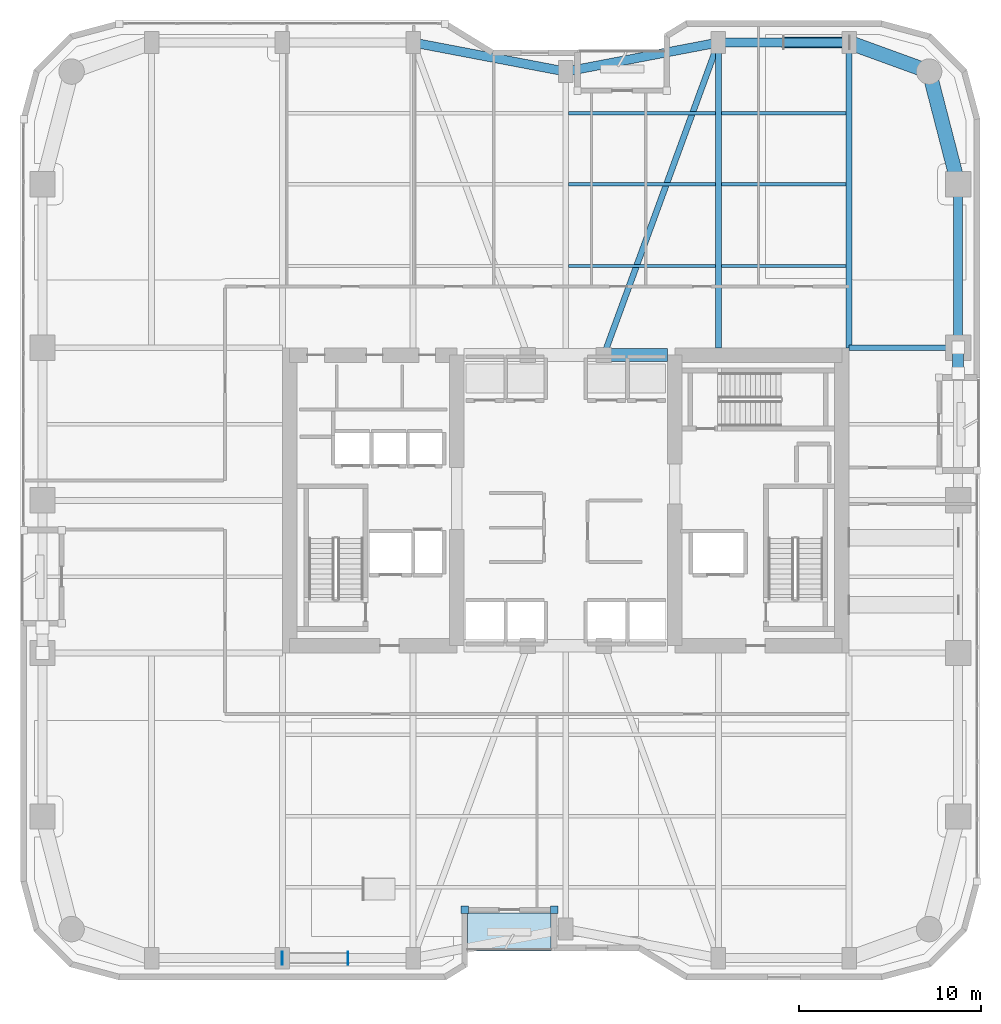
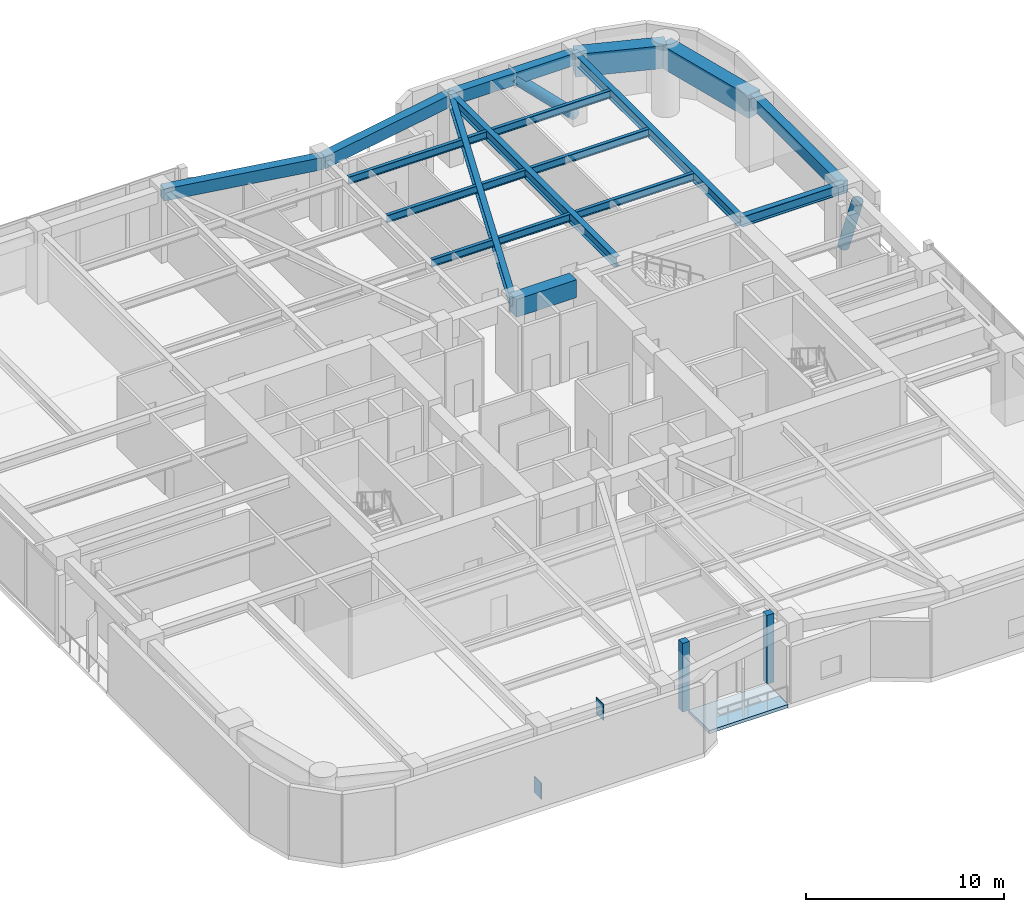
# One storey, part 11 of 23: 17 beams, 4 plates, 2 members, 1 slab.
"""IFC4 building model written with IfcOpenShell, lengths in metres."""

from ifc_helpers import new_model, si_unit, direction, frame, origin, origin_2d, place, context, subcontext, project, spatial, polyline, rectangle, hollow_circle, i_section, outline, extrude, material, layer, layer_set, material_profile, profile_set, type_object, element, save


model = new_model("IFC4")

# Units and contexts
model_context = context("Model", 3, precision=1e-05, world=origin(), true_north=direction((0.0, 1.0)))
body_context = subcontext(model_context, "Body", "Model", "MODEL_VIEW")
ifc_project = project(units=[si_unit("LENGTHUNIT", "METRE"), si_unit("AREAUNIT", "SQUARE_METRE"), si_unit("VOLUMEUNIT", "CUBIC_METRE"), si_unit("PLANEANGLEUNIT", "RADIAN"), si_unit("MASSUNIT", "GRAM", prefix="KILO")], contexts=[model_context])

# Site, building, storey
site_placement = place(None, origin())
site = spatial("IfcSite", under=ifc_project, at=site_placement, CompositionType="ELEMENT")
building_placement = place(site_placement, origin())
building = spatial("IfcBuilding", under=site, at=building_placement, Name="Kiyonajd Concourse Tower", CompositionType="ELEMENT")
storey_placement = place(building_placement, frame((0.0, 0.0, 120.89990234375)))
storey = spatial("IfcBuildingStorey", under=building, at=storey_placement, Name="L31", CompositionType="ELEMENT", Elevation=120.89990234375)

# Beams
ifc_material_1 = material(Name="Concrete C70/85", Category="concrete")
ifc_material_profile_1 = material_profile(ifc_material_1, rectangle(XDim=0.699951171875, YDim=1.10009765625, at=origin_2d()), Name="RCBM-700x1100")
ifc_profile_set_1 = profile_set([ifc_material_profile_1], Name="Concrete C70/85")
beam_type_1 = type_object("IfcBeamType", Name="BM-COUP-1100", PredefinedType="LINTEL", material=ifc_profile_set_1)
beam_1_placement = place(storey_placement, frame((50.10009765625, 44.0, 3.690185546875), z_axis=(1.0, 0.0, 0.0), x_axis=(0.0, 1.0, 0.0)))
element("IfcBeam", 1, at=beam_1_placement, inside=storey, type_object=beam_type_1, Name="L31 Core Coupling Beam N3", PredefinedType="LINTEL", context=body_context, shape_type="SweptSolid", body=[
    extrude(rectangle(XDim=0.699951171875, YDim=1.10009765625, at=origin_2d()), origin(), (0.0, 0.0, 1.0), 3.5),
])
ifc_material_2 = material(Name="Steel ASTM A992 Grade 50", Category="steel")
ifc_material_profile_2 = material_profile(ifc_material_2, i_section(OverallWidth=0.19189453125, OverallDepth=0.462890625, WebThickness=0.010498046875, FlangeThickness=0.017578125, at=origin_2d()), Name="W460X89")
ifc_profile_set_2 = profile_set([ifc_material_profile_2], Name="Steel ASTM A992 Grade 50")
beam_type_2 = type_object("IfcBeamType", Name="BM-JST-460B", PredefinedType="JOIST", material=ifc_profile_set_2)
beam_2_placement = place(storey_placement, frame((48.16357421875, 48.89990234375, 4.008544921875), z_axis=(1.0, 0.0, 0.0), x_axis=(0.0, 1.0, 0.0)))
element("IfcBeam", 2, at=beam_2_placement, inside=storey, type_object=beam_type_2, Name="L31 Secondary Floor Joist", PredefinedType="JOIST", context=body_context, shape_type="SweptSolid", body=[
    extrude(i_section(OverallWidth=0.19189453125, OverallDepth=0.462890625, WebThickness=0.010498046875, FlangeThickness=0.017578125, at=origin_2d()), origin(), (0.0, 0.0, 1.0), 8.072998046875),
])
beam_3_placement = place(storey_placement, frame((56.5634765625, 48.89990234375, 4.008544921875), z_axis=(1.0, 0.0, 0.0), x_axis=(0.0, 1.0, 0.0)))
element("IfcBeam", 3, at=beam_3_placement, inside=storey, type_object=beam_type_2, Name="L31 Secondary Floor Joist", PredefinedType="JOIST", context=body_context, shape_type="SweptSolid", body=[
    extrude(i_section(OverallWidth=0.19189453125, OverallDepth=0.462890625, WebThickness=0.010498046875, FlangeThickness=0.017578125, at=origin_2d()), origin(), (0.0, 0.0, 1.0), 6.873046875),
])
beam_4_placement = place(storey_placement, frame((48.16357421875, 53.39990234375, 4.008544921875), z_axis=(1.0, 0.0, 0.0), x_axis=(0.0, 1.0, 0.0)))
element("IfcBeam", 4, at=beam_4_placement, inside=storey, type_object=beam_type_2, Name="L31 Secondary Floor Joist", PredefinedType="JOIST", context=body_context, shape_type="SweptSolid", body=[
    extrude(i_section(OverallWidth=0.19189453125, OverallDepth=0.462890625, WebThickness=0.010498046875, FlangeThickness=0.017578125, at=origin_2d()), origin(), (0.0, 0.0, 1.0), 8.072998046875),
])
beam_5_placement = place(storey_placement, frame((56.5634765625, 53.39990234375, 4.008544921875), z_axis=(1.0, 0.0, 0.0), x_axis=(0.0, 1.0, 0.0)))
element("IfcBeam", 5, at=beam_5_placement, inside=storey, type_object=beam_type_2, Name="L31 Secondary Floor Joist", PredefinedType="JOIST", context=body_context, shape_type="SweptSolid", body=[
    extrude(i_section(OverallWidth=0.19189453125, OverallDepth=0.462890625, WebThickness=0.010498046875, FlangeThickness=0.017578125, at=origin_2d()), origin(), (0.0, 0.0, 1.0), 6.873046875),
])
beam_6_placement = place(storey_placement, frame((48.16357421875, 57.300048828125, 4.008544921875), z_axis=(1.0, 0.0, 0.0), x_axis=(0.0, 1.0, 0.0)))
element("IfcBeam", 6, at=beam_6_placement, inside=storey, type_object=beam_type_2, Name="L31 Secondary Floor Joist", PredefinedType="JOIST", context=body_context, shape_type="SweptSolid", body=[
    extrude(i_section(OverallWidth=0.19189453125, OverallDepth=0.462890625, WebThickness=0.010498046875, FlangeThickness=0.017578125, at=origin_2d()), origin(), (0.0, 0.0, 1.0), 8.072998046875),
])
beam_7_placement = place(storey_placement, frame((56.5634765625, 57.300048828125, 4.008544921875), z_axis=(1.0, 0.0, 0.0), x_axis=(0.0, 1.0, 0.0)))
element("IfcBeam", 7, at=beam_7_placement, inside=storey, type_object=beam_type_2, Name="L31 Secondary Floor Joist", PredefinedType="JOIST", context=body_context, shape_type="SweptSolid", body=[
    extrude(i_section(OverallWidth=0.19189453125, OverallDepth=0.462890625, WebThickness=0.010498046875, FlangeThickness=0.017578125, at=origin_2d()), origin(), (0.0, 0.0, 1.0), 6.873046875),
])
ifc_material_3 = material(Name="Precast concrete C50/60", Category="concrete")
ifc_material_profile_3 = material_profile(ifc_material_3, rectangle(XDim=0.5, YDim=0.75, at=origin_2d()), Name="RCBM-500x750")
ifc_profile_set_3 = profile_set([ifc_material_profile_3], Name="Precast concrete C50/60")
beam_type_3 = type_object("IfcBeamType", Name="BM-SPAN-RC", PredefinedType="SPANDREL", material=ifc_profile_set_3)
beam_8_placement = place(storey_placement, frame((69.60009765625, 44.39990234375, 3.864990234375), z_axis=(0.0, 1.0, 0.0), x_axis=(-1.0, 0.0, 0.0)))
element("IfcBeam", 8, at=beam_8_placement, inside=storey, type_object=beam_type_3, Name="L31 Perimeter Bundled Tube Spandrel", PredefinedType="SPANDREL", context=body_context, shape_type="SweptSolid", body=[
    extrude(rectangle(XDim=0.5, YDim=0.75, at=origin_2d()), origin(), (0.0, 0.0, 1.0), 9.0),
])
beam_9_placement = place(storey_placement, frame((63.60009765625, 61.199951171875, 3.864990234375), z_axis=(-1.0, 0.0, 0.0), x_axis=(0.0, -1.0, 0.0)))
element("IfcBeam", 9, at=beam_9_placement, inside=storey, type_object=beam_type_3, Name="L31 Perimeter Bundled Tube Spandrel", PredefinedType="SPANDREL", context=body_context, shape_type="SweptSolid", body=[
    extrude(rectangle(XDim=0.5, YDim=0.75, at=origin_2d()), origin(), (0.0, 0.0, 1.0), 7.2001953125),
])
for number, where, z_axis, x_axis, name in (
    (10, (56.39990234375, 61.199951171875, 3.864990234375), (-0.982341315253, -0.187097675953, 0.0), (0.187097675953, -0.982341315253, 0.0), "L31 Perimeter Bundled Tube Spandrel"),
    (11, (48.0, 59.60009765625, 3.864990234375), (-0.982341315253, 0.187097675953, 0.0), (-0.187097675953, -0.982341315253, 0.0), "L31 Perimeter Bundled Tube Spandrel"),
):
    element("IfcBeam", number, at=place(storey_placement, frame(where, z_axis=z_axis, x_axis=x_axis)), inside=storey, type_object=beam_type_3, Name=name, PredefinedType="SPANDREL", context=body_context, shape_type="SweptSolid", body=[
        extrude(rectangle(XDim=0.5, YDim=0.75, at=origin_2d()), origin(), (0.0, 0.0, 1.0), 8.55078125),
    ])
ifc_material_profile_4 = material_profile(ifc_material_2, i_section(OverallWidth=0.326904296875, OverallDepth=0.6220703125, WebThickness=0.015380859375, FlangeThickness=0.0244140625, at=origin_2d()), Name="W610X195")
ifc_profile_set_4 = profile_set([ifc_material_profile_4], Name="Steel ASTM A992 Grade 50")
beam_type_4 = type_object("IfcBeamType", Name="BM-TWR-610A", PredefinedType="BEAM", material=ifc_profile_set_4)
beam_10_placement = place(storey_placement, frame((50.10009765625, 44.0, 3.92919921875), z_axis=(0.343925269715, 0.938997022813, 0.0), x_axis=(-0.938997022813, 0.343925269715, 0.0)))
element("IfcBeam", 12, at=beam_10_placement, inside=storey, type_object=beam_type_4, Name="L31 Core Tie Girder", PredefinedType="BEAM", context=body_context, shape_type="SweptSolid", body=[
    extrude(i_section(OverallWidth=0.326904296875, OverallDepth=0.6220703125, WebThickness=0.015380859375, FlangeThickness=0.0244140625, at=origin_2d()), origin(), (0.0, 0.0, 1.0), 18.3173828125),
])
for number, where, z_axis, x_axis, name in (
    (13, (56.39990234375, 44.39990234375, 3.92919921875), (0.0, 1.0, 0.0), (-1.0, 0.0, 0.0), "L31 North Lease Girder"),
    (14, (63.60009765625, 44.39990234375, 3.92919921875), (0.0, 1.0, 0.0), (-1.0, 0.0, 0.0), "L31 North Lease Girder"),
):
    element("IfcBeam", number, at=place(storey_placement, frame(where, z_axis=z_axis, x_axis=x_axis)), inside=storey, type_object=beam_type_4, Name=name, PredefinedType="BEAM", context=body_context, shape_type="SweptSolid", body=[
        extrude(i_section(OverallWidth=0.326904296875, OverallDepth=0.6220703125, WebThickness=0.015380859375, FlangeThickness=0.0244140625, at=origin_2d()), origin(), (0.0, 0.0, 1.0), 16.800048828125),
    ])
beam_11_placement = place(storey_placement, frame((63.60009765625, 44.39990234375, 3.92919921875), z_axis=(1.0, 0.0, 0.0), x_axis=(0.0, 1.0, 0.0)))
element("IfcBeam", 15, at=beam_11_placement, inside=storey, type_object=beam_type_4, Name="L31 East Lease Girder", PredefinedType="BEAM", context=body_context, shape_type="SweptSolid", body=[
    extrude(i_section(OverallWidth=0.326904296875, OverallDepth=0.6220703125, WebThickness=0.015380859375, FlangeThickness=0.0244140625, at=origin_2d()), origin(), (0.0, 0.0, 1.0), 6.0),
])
ifc_material_4 = material(Name="Concrete C60/75", Category="concrete")
ifc_material_profile_5 = material_profile(ifc_material_4, rectangle(XDim=0.800048828125, YDim=1.39990234375, at=origin_2d()), Name="RCBM-800x1400")
ifc_profile_set_5 = profile_set([ifc_material_profile_5], Name="Concrete C60/75")
beam_type_5 = type_object("IfcBeamType", Name="BM-XFER-RC", PredefinedType="BEAM", material=ifc_profile_set_5)
beam_12_placement = place(storey_placement, frame((69.60009765625, 53.39990234375, 3.5400390625), z_axis=(-0.249884937687, 0.968275538221, 0.0), x_axis=(-0.968275538221, -0.249884937687, 0.0)))
element("IfcBeam", 16, at=beam_12_placement, inside=storey, type_object=beam_type_5, Name="L31 Perimeter Bundled Tube Spandrel", PredefinedType="BEAM", context=body_context, shape_type="SweptSolid", body=[
    extrude(rectangle(XDim=0.800048828125, YDim=1.39990234375, at=origin_2d()), origin(), (0.0, 0.0, 1.0), 6.4033203125),
])
beam_13_placement = place(storey_placement, frame((68.0, 59.60009765625, 3.5400390625), z_axis=(-0.939801036019, 0.341722127901, 0.0), x_axis=(-0.341722127901, -0.939801036019, 0.0)))
element("IfcBeam", 17, at=beam_13_placement, inside=storey, type_object=beam_type_5, Name="L31 Perimeter Bundled Tube Spandrel", PredefinedType="BEAM", context=body_context, shape_type="SweptSolid", body=[
    extrude(rectangle(XDim=0.800048828125, YDim=1.39990234375, at=origin_2d()), origin(), (0.0, 0.0, 1.0), 4.681640625),
])

# Members
ifc_material_5 = material(Name="Steel ASTM A572 Grade 50", Category="steel")
ifc_material_profile_6 = material_profile(ifc_material_5, hollow_circle(Radius=0.304931640625, WallThickness=0.02490234375, at=origin_2d()), Name="CHS-610x25")
ifc_profile_set_6 = profile_set([ifc_material_profile_6], Name="Steel ASTM A572 Grade 50")
member_type = type_object("IfcMemberType", Name="MB-PB-LOW", PredefinedType="BRACE", material=ifc_profile_set_6)
member_1_placement = place(storey_placement, frame((63.60009765625, 61.199951171875, 0.300048828125), z_axis=(-0.708090488697, 0.0, 0.706121703261), x_axis=(0.0, -1.0, 0.0)))
element("IfcMember", 18, at=member_1_placement, inside=storey, type_object=member_type, Name="L31 Lower Zone Welded Tube Brace PBN", PredefinedType="BRACE", context=body_context, shape_type="SweptSolid", body=[
    extrude(hollow_circle(Radius=0.304931640625, WallThickness=0.02490234375, at=origin_2d()), origin(), (0.0, 0.0, 1.0), 5.084228515625),
])
member_2_placement = place(storey_placement, frame((69.60009765625, 44.39990234375, 0.300048828125), z_axis=(0.0, -0.363293032355, 0.931674928633), x_axis=(1.0, 0.0, 0.0)))
element("IfcMember", 19, at=member_2_placement, inside=storey, type_object=member_type, Name="L31 Lower Zone Welded Tube Brace PBE", PredefinedType="BRACE", context=body_context, shape_type="SweptSolid", body=[
    extrude(hollow_circle(Radius=0.304931640625, WallThickness=0.02490234375, at=origin_2d()), origin(), (0.0, 0.0, 1.0), 3.853271484375),
])

# Plates
ifc_layer_1 = layer(ifc_material_5, 0.028076171875)
ifc_layer_set_1 = layer_set([ifc_layer_1], Name="Steel ASTM A572 Grade 50")
plate_type_1 = type_object("IfcPlateType", Name="PL-CAP-450", PredefinedType="USERDEFINED", material=ifc_layer_set_1)
for number, where, z_axis, x_axis, name in (
    (20, (32.39208984375, 10.800048828125, -0.208251953125), (0.0, 0.0, 1.0), (-1.0, 0.0, 0.0), "L31 Hollow Brace End Cap Plate PBS"),
    (21, (36.0078125, 10.800048828125, 3.3974609375), (0.0, 0.0, 1.0), (1.0, 0.0, 0.0), "L31 Hollow Brace Top Cap Plate PBS"),
):
    element("IfcPlate", number, at=place(storey_placement, frame(where, z_axis=z_axis, x_axis=x_axis)), inside=storey, type_object=plate_type_1, Name=name, ObjectType="CAP PLATE", PredefinedType="USERDEFINED", context=body_context, shape_type="SweptSolid", body=[
        extrude(rectangle(XDim=0.035888671875, YDim=0.72998046875, at=origin_2d()), origin(), (0.0, 0.0, 1.0), 1.0009765625),
    ])
ifc_material_6 = material(Name="Thermally Broken Anodised Aluminium", Category="aluminium")
ifc_layer_2 = layer(ifc_material_6, 0.39990234375)
ifc_layer_set_2 = layer_set([ifc_layer_2], Name="Thermally Broken Anodised Aluminium")
plate_type_2 = type_object("IfcPlateType", Name="PL-JMB-400", PredefinedType="USERDEFINED", material=ifc_layer_set_2)
for number, where, z_axis, x_axis, name in (
    (22, (47.360107421875, 13.4599609375, 0.0), (0.0, 0.0, 1.0), (1.0, 0.0, 0.0), "L31 Facade Jamb Closure Plate 13"),
    (23, (42.43994140625, 13.4599609375, 0.0), (0.0, 0.0, 1.0), (1.0, 0.0, 0.0), "L31 Facade Jamb Closure Plate 14"),
):
    element("IfcPlate", number, at=place(storey_placement, frame(where, z_axis=z_axis, x_axis=x_axis)), inside=storey, type_object=plate_type_2, Name=name, ObjectType="JAMB PLATE", PredefinedType="USERDEFINED", context=body_context, shape_type="SweptSolid", body=[
        extrude(rectangle(XDim=0.39990234375, YDim=0.39990234375, at=origin_2d()), origin(), (0.0, 0.0, 1.0), 4.239990234375),
    ])

# Slab
ifc_layer_3 = layer(ifc_material_3, 0.199951171875)
ifc_layer_set_3 = layer_set([ifc_layer_3], Name="Precast concrete C50/60")
slab_type = type_object("IfcSlabType", Name="SL-LOG-200", PredefinedType="FLOOR", material=ifc_layer_set_3)
slab_placement = place(storey_placement, frame((0.0, 0.0, -0.199951171875)))
element("IfcSlab", 24, at=slab_placement, inside=storey, type_object=slab_type, Name="L31 Recessed Engawa Loggia Terrace Slab LOG-S", PredefinedType="FLOOR", context=body_context, shape_type="SweptSolid", body=[
    extrude(outline(polyline([(42.60009765625, 11.199951171875), (47.199951171875, 11.199951171875), (47.199951171875, 13.300048828125), (42.60009765625, 13.300048828125), (42.60009765625, 11.199951171875)])), origin(), (0.0, 0.0, 1.0), 0.199951171875),
])

save(model, "model.ifc")
